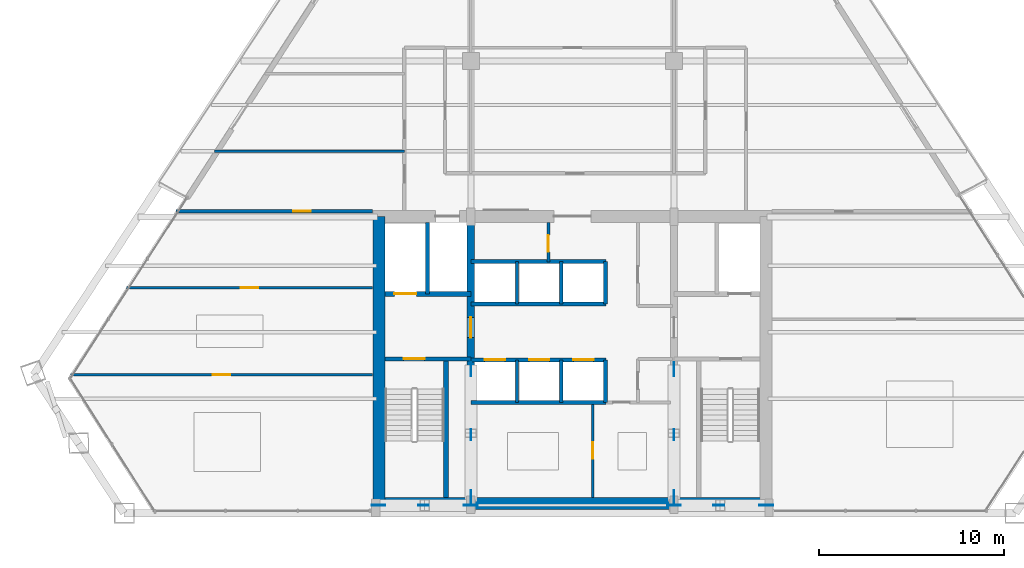
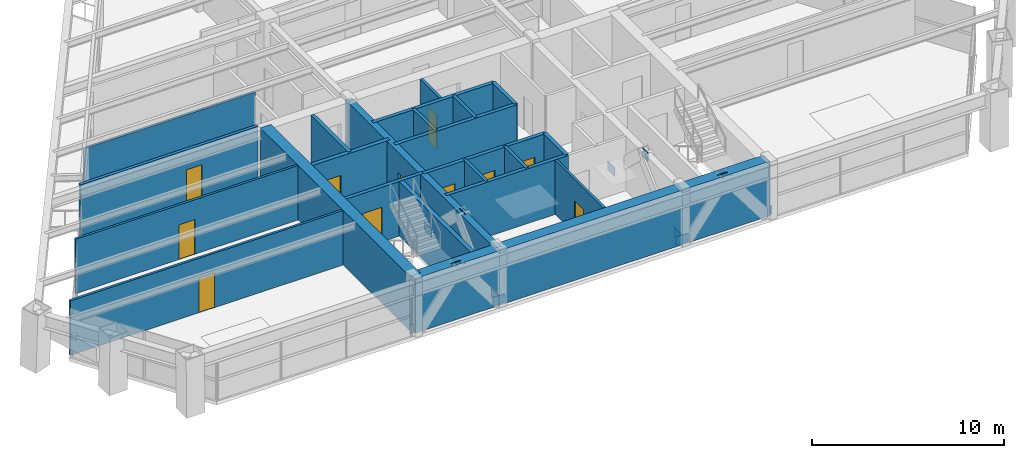
# One storey, part 11 of 15: 23 walls, 12 plates, 11 doors, 11 openings.
"""IFC4 building model written with IfcOpenShell, lengths in metres."""

from ifc_helpers import new_model, si_unit, direction, frame, frame_2d, origin, origin_2d, place, context, subcontext, project, spatial, rectangle, extrude, source, transform, mapped, material, layer, layer_set, type_object, type_shapes, element, fill, save


model = new_model("IFC4")

# Units and contexts
model_context = context("Model", 3, precision=1e-05, world=origin(), true_north=direction((0.0, 1.0)))
body_context = subcontext(model_context, "Body", "Model", "MODEL_VIEW")
ifc_project = project(units=[si_unit("LENGTHUNIT", "METRE"), si_unit("AREAUNIT", "SQUARE_METRE"), si_unit("VOLUMEUNIT", "CUBIC_METRE"), si_unit("PLANEANGLEUNIT", "RADIAN"), si_unit("MASSUNIT", "GRAM", prefix="KILO")], contexts=[model_context])

# Site, building, storey
site_placement = place(None, origin())
site = spatial("IfcSite", under=ifc_project, at=site_placement, CompositionType="ELEMENT")
building_placement = place(site_placement, origin())
building = spatial("IfcBuilding", under=site, at=building_placement, Name="Varnakhor Terracotta Tower", CompositionType="ELEMENT")
storey_placement = place(building_placement, frame((0.0, 0.0, 147.800048828125)))
storey = spatial("IfcBuildingStorey", under=building, at=storey_placement, Name="L37", CompositionType="ELEMENT", Elevation=147.800048828125)

# Plates
ifc_material_1 = material(Name="Steel S460", Category="steel")
ifc_layer_1 = layer(ifc_material_1, 0.050048828125, Name="Steel S460")
ifc_layer_set_1 = layer_set([ifc_layer_1], Name="Steel S460")
plate_type = type_object("IfcPlateType", Name="PLT-GUSSET-50", PredefinedType="USERDEFINED", material=ifc_layer_set_1)
shared_shape_1 = source(origin(), body_context, "Body", "SweptSolid", [
    extrude(rectangle(XDim=0.75, YDim=0.0400390625, at=origin_2d()), origin(), (0.0, 0.0, 1.0), 0.550048828125),
])
type_shapes(plate_type, [shared_shape_1])
for number, where, z_axis, x_axis, name in (
    (1, (-10.5, 0.419921875, -0.09521484375), (0.0, 0.0, 1.0), (1.0, 0.0, 0.0), "L37 Core Brace Embed Plate CSWA"),
    (2, (-5.5, 0.419921875, -0.09521484375), (0.0, 0.0, 1.0), (1.0, 0.0, 0.0), "L37 Core Brace Embed Plate CSWB"),
    (3, (5.5, 0.419921875, -0.09521484375), (0.0, 0.0, 1.0), (1.0, 0.0, 0.0), "L37 Core Brace Embed Plate CSEA"),
    (4, (10.5, 0.419921875, -0.09521484375), (0.0, 0.0, 1.0), (1.0, 0.0, 0.0), "L37 Core Brace Embed Plate CSEB"),
    (5, (-5.5, 0.85009765625, -0.09521484375), (0.0, 0.0, 1.0), (0.0, 1.0, 0.0), "L37 Core Brace Embed Plate CWWA"),
    (6, (-5.5, 7.800048828125, -0.09521484375), (0.0, 0.0, 1.0), (0.0, 1.0, 0.0), "L37 Core Brace Embed Plate CWWB"),
    (7, (5.5, 0.85009765625, -0.09521484375), (0.0, 0.0, 1.0), (0.0, 1.0, 0.0), "L37 Core Brace Embed Plate CWEA"),
    (8, (5.5, 7.800048828125, -0.09521484375), (0.0, 0.0, 1.0), (0.0, 1.0, 0.0), "L37 Core Brace Embed Plate CWEB"),
):
    element("IfcPlate", number, at=place(storey_placement, frame(where, z_axis=z_axis, x_axis=x_axis)), inside=storey, type_object=plate_type, Name=name, ObjectType="GUSSET PLATE", PredefinedType="USERDEFINED", context=body_context, shape_type="MappedRepresentation", body=[
        mapped(shared_shape_1, transform((0.0, 0.0, 0.0), scale=1.0)),
    ])
shared_shape_2 = source(origin(), body_context, "Body", "SweptSolid", [
    extrude(rectangle(XDim=0.580078125, YDim=0.0400390625, at=origin_2d()), origin(), (0.0, 0.0, 1.0), 0.580078125),
])
for number, where, z_axis, x_axis, name in (
    (9, (-8.072265625, 0.419921875, 2.93408203125), (0.0, 0.0, 1.0), (1.0, 0.0, 0.0), "L37 Brace End Connection Plate 124"),
    (10, (7.927734375, 0.419921875, 2.93408203125), (0.0, 0.0, 1.0), (1.0, 0.0, 0.0), "L37 Brace End Connection Plate 125"),
    (11, (-5.5, 4.23828125, 2.947021484375), (0.0, 0.0, 1.0), (0.0, 1.0, 0.0), "L37 Brace End Connection Plate 126"),
    (12, (5.5, 4.23828125, 2.947021484375), (0.0, 0.0, 1.0), (0.0, 1.0, 0.0), "L37 Brace End Connection Plate 127"),
):
    element("IfcPlate", number, at=place(storey_placement, frame(where, z_axis=z_axis, x_axis=x_axis)), inside=storey, type_object=plate_type, Name=name, ObjectType="GUSSET PLATE", PredefinedType="USERDEFINED", context=body_context, shape_type="MappedRepresentation", body=[
        mapped(shared_shape_2, transform((0.0, 0.0, 0.0), scale=1.0)),
    ])

# Walls
ifc_material_2 = material(Name="Concrete C50/60", Category="concrete")
ifc_layer_2 = layer(ifc_material_2, 0.64990234375, Name="Concrete C50/60")
ifc_layer_set_2 = layer_set([ifc_layer_2], Name="Concrete C50/60")
wall_type_1 = type_object("IfcWallType", Name="WAL-CORE-650", PredefinedType="SHEAR", material=ifc_layer_set_2)
wall_1_placement = place(storey_placement, frame((-10.64990234375, 0.52490234375, 0.0), z_axis=(0.0, 0.0, 1.0), x_axis=(1.0, 0.0, 0.0)))
element("IfcWall", 13, at=wall_1_placement, inside=storey, type_object=wall_type_1, Name="L37 South Core Shear Wall", PredefinedType="SHEAR", context=body_context, shape_type="SweptSolid", body=[
    extrude(rectangle(XDim=21.2998046875, YDim=0.64990234375, at=frame_2d((10.64990234375, 0.0))), origin(), (0.0, 0.0, 1.0), 3.469970703125),
])
wall_2_placement = place(storey_placement, frame((-10.47509765625, 0.52490234375, 0.0), z_axis=(0.0, 0.0, 1.0), x_axis=(0.0, 1.0, 0.0)))
element("IfcWall", 14, at=wall_2_placement, inside=storey, type_object=wall_type_1, Name="L37 West Core Shear Wall", PredefinedType="SHEAR", context=body_context, shape_type="SweptSolid", body=[
    extrude(rectangle(XDim=15.550048828125, YDim=0.64990234375, at=frame_2d((7.77490234375, 0.0))), origin(), (0.0, 0.0, 1.0), 3.469970703125),
])

# Wall, opening, door
ifc_layer_3 = layer(ifc_material_2, 0.39990234375, Name="Concrete C50/60")
ifc_layer_set_3 = layer_set([ifc_layer_3], Name="Concrete C50/60")
wall_type_2 = type_object("IfcWallType", Name="WAL-CORE-WEB-400", PredefinedType="SHEAR", material=ifc_layer_set_3)
wall_3_placement = place(storey_placement, frame((-5.5, 0.52490234375, 0.0), z_axis=(0.0, 0.0, 1.0), x_axis=(0.0, 1.0, 0.0)))
wall_3 = element("IfcWall", 15, at=wall_3_placement, inside=storey, type_object=wall_type_2, Name="L37 West Core Web Shear Wall", PredefinedType="SHEAR", context=body_context, shape_type="SweptSolid", body=[
    extrude(rectangle(XDim=15.550048828125, YDim=0.39990234375, at=frame_2d((7.77490234375, 0.0))), origin(), (0.0, 0.0, 1.0), 3.469970703125),
])
opening_1_placement = place(wall_3_placement, frame((8.97509765625, 0.0, 0.0)))
opening_1 = element("IfcOpeningElement", 16, at=opening_1_placement, cuts=wall_3, Name="Opening DR-25", PredefinedType="OPENING", context=body_context, shape_type="SweptSolid", body=[
    extrude(rectangle(XDim=1.10009765625, YDim=2.199951171875, at=frame_2d((0.550048828125, 1.10009765625))), frame((0.0, 0.2099609375, 0.0), z_axis=(0.0, -1.0, 0.0), x_axis=(1.0, 0.0, 0.0)), (0.0, 0.0, 1.0), 0.419921875),
])
ifc_material_3 = material(Name="Firefighting Lobby Self-Closing Fire Door", Category="steel")
door_type_1 = type_object("IfcDoorType", Name="DR-FFL-1100X2200", OperationType="NOTDEFINED", PredefinedType="DOOR", material=ifc_material_3)
shared_shape_3 = source(origin(), body_context, "Body", "SweptSolid", [
    extrude(rectangle(XDim=1.10009765625, YDim=2.199951171875, at=frame_2d((0.550048828125, 1.10009765625))), frame((0.0, 0.02490234375, 0.0), z_axis=(0.0, -1.0, 0.0), x_axis=(1.0, 0.0, 0.0)), (0.0, 0.0, 1.0), 0.050048828125),
])
type_shapes(door_type_1, [shared_shape_3])
door_1_placement = place(opening_1_placement, origin())
door_1 = element("IfcDoor", 17, at=door_1_placement, inside=storey, type_object=door_type_1, Name="L37 West Firefighting Lobby Door", OperationType="SINGLE_SWING_LEFT", OverallHeight=2.199951171875, OverallWidth=1.10009765625, PredefinedType="DOOR", context=body_context, shape_type="MappedRepresentation", body=[
    mapped(shared_shape_3, transform((0.0, 0.0, 0.0), scale=1.0)),
])
fill(opening_1, door_1)

ifc_material_4 = material(Name="Fire-Rated Gypsum Stud Partition", Category="gypsum")
ifc_layer_4 = layer(ifc_material_4, 0.18505859375, Name="Fire-Rated Gypsum Stud Partition")
ifc_layer_set_4 = layer_set([ifc_layer_4], Name="Fire-Rated Gypsum Stud Partition")
wall_type_3 = type_object("IfcWallType", Name="WAL-CORR-185", PredefinedType="PARTITIONING", material=ifc_layer_set_4)
wall_4_placement = place(storey_placement, frame((-21.4775390625, 16.35009765625, 0.0), z_axis=(0.0, 0.0, 1.0), x_axis=(1.0, 0.0, 0.0)))
wall_4 = element("IfcWall", 18, at=wall_4_placement, inside=storey, type_object=wall_type_3, Name="L37 South West Entry Wall", PredefinedType="PARTITIONING", context=body_context, shape_type="SweptSolid", body=[
    extrude(rectangle(XDim=10.657470703125, YDim=0.18505859375, at=frame_2d((5.32861328125, 0.0))), origin(), (0.0, 0.0, 1.0), 3.4619140625),
])
opening_2_placement = place(wall_4_placement, frame((6.350341796875, 0.0, 0.0)))
opening_2 = element("IfcOpeningElement", 19, at=opening_2_placement, cuts=wall_4, Name="Opening DR-94", PredefinedType="OPENING", context=body_context, shape_type="SweptSolid", body=[
    extrude(rectangle(XDim=0.949951171875, YDim=2.199951171875, at=frame_2d((0.47509765625, 1.10009765625))), frame((0.0, 0.1025390625, 0.0), z_axis=(0.0, -1.0, 0.0), x_axis=(1.0, 0.0, 0.0)), (0.0, 0.0, 1.0), 0.205078125),
])
ifc_material_5 = material(Name="Acoustic Glazed-Vision Timber Office Door", Category="wood")
door_type_2 = type_object("IfcDoorType", Name="DR-OFF-950X2200", OperationType="NOTDEFINED", PredefinedType="DOOR", material=ifc_material_5)
shared_shape_4 = source(origin(), body_context, "Body", "SweptSolid", [
    extrude(rectangle(XDim=0.949951171875, YDim=2.199951171875, at=frame_2d((0.47509765625, 1.10009765625))), frame((0.0, 0.02490234375, 0.0), z_axis=(0.0, -1.0, 0.0), x_axis=(1.0, 0.0, 0.0)), (0.0, 0.0, 1.0), 0.050048828125),
])
type_shapes(door_type_2, [shared_shape_4])
door_2_placement = place(opening_2_placement, origin())
door_2 = element("IfcDoor", 20, at=door_2_placement, inside=storey, type_object=door_type_2, Name="L37 SW Suite Door", OperationType="SINGLE_SWING_RIGHT", OverallHeight=2.199951171875, OverallWidth=0.949951171875, PredefinedType="DOOR", context=body_context, shape_type="MappedRepresentation", body=[
    mapped(shared_shape_4, transform((0.0, 0.0, 0.0), scale=1.0)),
])
fill(opening_2, door_2)

ifc_material_6 = material(Name="Concrete C40/50", Category="concrete")
ifc_layer_5 = layer(ifc_material_6, 0.219970703125, Name="Concrete C40/50")
ifc_layer_set_5 = layer_set([ifc_layer_5], Name="Concrete C40/50")
wall_type_4 = type_object("IfcWallType", Name="WAL-FFLOBBY-220", PredefinedType="SOLIDWALL", material=ifc_layer_set_5)
wall_5_placement = place(storey_placement, frame((-5.5, 8.35009765625, 0.0), z_axis=(0.0, 0.0, 1.0), x_axis=(-1.0, 0.0, 0.0)))
wall_5 = element("IfcWall", 21, at=wall_5_placement, inside=storey, type_object=wall_type_4, Name="L37 West Firefighting Lobby Stair Wall", PredefinedType="SOLIDWALL", context=body_context, shape_type="SweptSolid", body=[
    extrude(rectangle(XDim=4.64990234375, YDim=0.219970703125, at=frame_2d((2.324951171875, 0.0))), origin(), (0.0, 0.0, 1.0), 3.469970703125),
])
opening_3_placement = place(wall_5_placement, frame((2.5, 0.0, 0.0)))
opening_3 = element("IfcOpeningElement", 22, at=opening_3_placement, cuts=wall_5, Name="Opening DR-34", PredefinedType="OPENING", context=body_context, shape_type="SweptSolid", body=[
    extrude(rectangle(XDim=1.14990234375, YDim=2.199951171875, at=frame_2d((0.574951171875, 1.10009765625))), frame((0.0, 0.1201171875, 0.0), z_axis=(0.0, -1.0, 0.0), x_axis=(1.0, 0.0, 0.0)), (0.0, 0.0, 1.0), 0.239990234375),
])
ifc_material_7 = material(Name="Self-Closing Smoke-Sealed Steel Fire Door", Category="steel")
door_type_3 = type_object("IfcDoorType", Name="DR-STAIR-1150X2200", OperationType="NOTDEFINED", PredefinedType="DOOR", material=ifc_material_7)
shared_shape_5 = source(origin(), body_context, "Body", "SweptSolid", [
    extrude(rectangle(XDim=1.14990234375, YDim=2.199951171875, at=frame_2d((0.574951171875, 1.10009765625))), frame((0.0, 0.02490234375, 0.0), z_axis=(0.0, -1.0, 0.0), x_axis=(1.0, 0.0, 0.0)), (0.0, 0.0, 1.0), 0.050048828125),
])
type_shapes(door_type_3, [shared_shape_5])
door_3_placement = place(opening_3_placement, origin())
door_3 = element("IfcDoor", 23, at=door_3_placement, inside=storey, type_object=door_type_3, Name="L37 Exit Stair ST-1 Fire Door", OperationType="SINGLE_SWING_RIGHT", OverallHeight=2.199951171875, OverallWidth=1.14990234375, PredefinedType="DOOR", context=body_context, shape_type="MappedRepresentation", body=[
    mapped(shared_shape_5, transform((0.0, 0.0, 0.0), scale=1.0)),
])
fill(opening_3, door_3)

ifc_material_8 = material(Name="Acoustic Metal-Stud Partition", Category="gypsum")
ifc_layer_6 = layer(ifc_material_8, 0.139892578125, Name="Acoustic Metal-Stud Partition")
ifc_layer_set_6 = layer_set([ifc_layer_6], Name="Acoustic Metal-Stud Partition")
wall_type_5 = type_object("IfcWallType", Name="WAL-PART-140", PredefinedType="PARTITIONING", material=ifc_layer_set_6)
wall_6_placement = place(storey_placement, frame((-27.194580078125, 7.5, 0.0), z_axis=(0.0, 0.0, 1.0), x_axis=(1.0, 0.0, 0.0)))
wall_6 = element("IfcWall", 24, at=wall_6_placement, inside=storey, type_object=wall_type_5, Name="L37 West Wing Cut 1", PredefinedType="PARTITIONING", context=body_context, shape_type="SweptSolid", body=[
    extrude(rectangle(XDim=16.37451171875, YDim=0.139892578125, at=frame_2d((8.187255859375, 0.0))), origin(), (0.0, 0.0, 1.0), 3.4619140625),
])
opening_4_placement = place(wall_6_placement, frame((7.721435546875, 0.0, 0.0)))
opening_4 = element("IfcOpeningElement", 25, at=opening_4_placement, cuts=wall_6, Name="Opening DR-94", PredefinedType="OPENING", context=body_context, shape_type="SweptSolid", body=[
    extrude(rectangle(XDim=0.949951171875, YDim=2.199951171875, at=frame_2d((0.47509765625, 1.10009765625))), frame((0.0, 0.080078125, 0.0), z_axis=(0.0, -1.0, 0.0), x_axis=(1.0, 0.0, 0.0)), (0.0, 0.0, 1.0), 0.159912109375),
])
door_4_placement = place(opening_4_placement, origin())
door_4 = element("IfcDoor", 26, at=door_4_placement, inside=storey, type_object=door_type_2, Name="L37 Wellness Lounge 4 Door", OperationType="SINGLE_SWING_RIGHT", OverallHeight=2.199951171875, OverallWidth=0.949951171875, PredefinedType="DOOR", context=body_context, shape_type="MappedRepresentation", body=[
    mapped(shared_shape_4, transform((0.0, 0.0, 0.0), scale=1.0)),
])
fill(opening_4, door_4)

wall_7_placement = place(storey_placement, frame((-24.158447265625, 12.199951171875, 0.0), z_axis=(0.0, 0.0, 1.0), x_axis=(1.0, 0.0, 0.0)))
wall_7 = element("IfcWall", 27, at=wall_7_placement, inside=storey, type_object=wall_type_5, Name="L37 West Wing Cut 2", PredefinedType="PARTITIONING", context=body_context, shape_type="SweptSolid", body=[
    extrude(rectangle(XDim=13.33837890625, YDim=0.139892578125, at=frame_2d((6.669189453125, 0.0))), origin(), (0.0, 0.0, 1.0), 3.4619140625),
])
opening_5_placement = place(wall_7_placement, frame((6.203125, 0.0, 0.0)))
opening_5 = element("IfcOpeningElement", 28, at=opening_5_placement, cuts=wall_7, Name="Opening DR-94", PredefinedType="OPENING", context=body_context, shape_type="SweptSolid", body=[
    extrude(rectangle(XDim=0.949951171875, YDim=2.199951171875, at=frame_2d((0.47509765625, 1.10009765625))), frame((0.0, 0.080078125, 0.0), z_axis=(0.0, -1.0, 0.0), x_axis=(1.0, 0.0, 0.0)), (0.0, 0.0, 1.0), 0.159912109375),
])
door_5_placement = place(opening_5_placement, origin())
door_5 = element("IfcDoor", 29, at=door_5_placement, inside=storey, type_object=door_type_2, Name="L37 Executive Lounge 1 B3 Door", OperationType="SINGLE_SWING_LEFT", OverallHeight=2.199951171875, OverallWidth=0.949951171875, PredefinedType="DOOR", context=body_context, shape_type="MappedRepresentation", body=[
    mapped(shared_shape_4, transform((0.0, 0.0, 0.0), scale=1.0)),
])
fill(opening_5, door_5)

# Walls
wall_8_placement = place(storey_placement, frame((-19.3779296875, 19.60009765625, 0.0), z_axis=(0.0, 0.0, 1.0), x_axis=(1.0, 0.0, 0.0)))
element("IfcWall", 30, at=wall_8_placement, inside=storey, type_object=wall_type_5, Name="L37 West Wing Cut 3", PredefinedType="PARTITIONING", context=body_context, shape_type="SweptSolid", body=[
    extrude(rectangle(XDim=10.27783203125, YDim=0.139892578125, at=frame_2d((5.138916015625, 0.0))), origin(), (0.0, 0.0, 1.0), 3.049072265625),
])
ifc_layer_7 = layer(ifc_material_6, 0.179931640625, Name="Concrete C40/50")
ifc_layer_set_7 = layer_set([ifc_layer_7], Name="Concrete C40/50")
wall_type_6 = type_object("IfcWallType", Name="WAL-SHAFT-180", PredefinedType="SOLIDWALL", material=ifc_layer_set_7)
for number, where, z_axis, x_axis, name in (
    (31, (-3.0, 6.0, 0.0), (0.0, 0.0, 1.0), (0.0, 1.0, 0.0), "L37 PL-2A Divider"),
    (32, (-0.60009765625, 6.0, 0.0), (0.0, 0.0, 1.0), (0.0, 1.0, 0.0), "L37 PL-2B Divider"),
    (33, (-3.0, 11.320068359375, 0.0), (0.0, 0.0, 1.0), (0.0, 1.0, 0.0), "L37 PL-3A Divider"),
    (34, (-0.60009765625, 11.320068359375, 0.0), (0.0, 0.0, 1.0), (0.0, 1.0, 0.0), "L37 PL-3B Divider"),
):
    element("IfcWall", number, at=place(storey_placement, frame(where, z_axis=z_axis, x_axis=x_axis)), inside=storey, type_object=wall_type_6, Name=name, PredefinedType="SOLIDWALL", context=body_context, shape_type="SweptSolid", body=[
        extrude(rectangle(XDim=2.300048828125, YDim=0.179931640625, at=frame_2d((1.14990234375, 0.0))), origin(), (0.0, 0.0, 1.0), 3.469970703125),
    ])
ifc_layer_8 = layer(ifc_material_6, 0.219970703125, Name="Concrete C40/50")
ifc_layer_set_8 = layer_set([ifc_layer_8], Name="Concrete C40/50")
wall_type_7 = type_object("IfcWallType", Name="WAL-SHAFT-220", PredefinedType="SOLIDWALL", material=ifc_layer_set_8)
wall_9_placement = place(storey_placement, frame((-7.840087890625, 11.8701171875, 0.0), z_axis=(0.0, 0.0, 1.0), x_axis=(0.0, 1.0, 0.0)))
element("IfcWall", 35, at=wall_9_placement, inside=storey, type_object=wall_type_7, Name="L37 Lift FFL-1 and SVL-1 Divider Wall", PredefinedType="SOLIDWALL", context=body_context, shape_type="SweptSolid", body=[
    extrude(rectangle(XDim=3.8798828125, YDim=0.219970703125, at=frame_2d((1.93994140625, 0.0))), origin(), (0.0, 0.0, 1.0), 3.469970703125),
])
wall_10_placement = place(storey_placement, frame((-5.5, 6.0, 0.0), z_axis=(0.0, 0.0, 1.0), x_axis=(1.0, 0.0, 0.0)))
element("IfcWall", 36, at=wall_10_placement, inside=storey, type_object=wall_type_7, Name="L37 Bank 2 South Shaft Wall", PredefinedType="SOLIDWALL", context=body_context, shape_type="SweptSolid", body=[
    extrude(rectangle(XDim=7.320068359375, YDim=0.219970703125, at=frame_2d((3.66015625, 0.0))), origin(), (0.0, 0.0, 1.0), 3.469970703125),
])

# Wall, openings, doors
wall_11_placement = place(storey_placement, frame((-5.5, 8.300048828125, 0.0), z_axis=(0.0, 0.0, 1.0), x_axis=(1.0, 0.0, 0.0)))
wall_11 = element("IfcWall", 37, at=wall_11_placement, inside=storey, type_object=wall_type_7, Name="L37 Bank 2 North Shaft Wall", PredefinedType="SOLIDWALL", context=body_context, shape_type="SweptSolid", body=[
    extrude(rectangle(XDim=7.320068359375, YDim=0.219970703125, at=frame_2d((3.66015625, 0.0))), origin(), (0.0, 0.0, 1.0), 3.469970703125),
])
opening_6_placement = place(wall_11_placement, frame((0.75, 0.0, 0.0)))
opening_6 = element("IfcOpeningElement", 38, at=opening_6_placement, cuts=wall_11, Name="Opening LD-01", PredefinedType="OPENING", context=body_context, shape_type="SweptSolid", body=[
    extrude(rectangle(XDim=1.10009765625, YDim=2.199951171875, at=frame_2d((0.550048828125, 1.10009765625))), frame((0.0, 0.1201171875, 0.0), z_axis=(0.0, -1.0, 0.0), x_axis=(1.0, 0.0, 0.0)), (0.0, 0.0, 1.0), 0.239990234375),
])
opening_7_placement = place(wall_11_placement, frame((3.14990234375, 0.0, 0.0)))
opening_7 = element("IfcOpeningElement", 39, at=opening_7_placement, cuts=wall_11, Name="Opening LD-01", PredefinedType="OPENING", context=body_context, shape_type="SweptSolid", body=[
    extrude(rectangle(XDim=1.10009765625, YDim=2.199951171875, at=frame_2d((0.550048828125, 1.10009765625))), frame((0.0, 0.1201171875, 0.0), z_axis=(0.0, -1.0, 0.0), x_axis=(1.0, 0.0, 0.0)), (0.0, 0.0, 1.0), 0.239990234375),
])
opening_8_placement = place(wall_11_placement, frame((5.550048828125, 0.0, 0.0)))
opening_8 = element("IfcOpeningElement", 40, at=opening_8_placement, cuts=wall_11, Name="Opening LD-01", PredefinedType="OPENING", context=body_context, shape_type="SweptSolid", body=[
    extrude(rectangle(XDim=1.10009765625, YDim=2.199951171875, at=frame_2d((0.550048828125, 1.10009765625))), frame((0.0, 0.1201171875, 0.0), z_axis=(0.0, -1.0, 0.0), x_axis=(1.0, 0.0, 0.0)), (0.0, 0.0, 1.0), 0.239990234375),
])
ifc_material_9 = material(Name="Brushed Stainless Steel Sliding Lift Landing Door", Category="steel")
door_type_4 = type_object("IfcDoorType", Name="LD-PASS-1100X2200", OperationType="NOTDEFINED", PredefinedType="DOOR", material=ifc_material_9)
shared_shape_6 = source(origin(), body_context, "Body", "SweptSolid", [
    extrude(rectangle(XDim=1.10009765625, YDim=2.199951171875, at=frame_2d((0.550048828125, 1.10009765625))), frame((0.0, 0.02490234375, 0.0), z_axis=(0.0, -1.0, 0.0), x_axis=(1.0, 0.0, 0.0)), (0.0, 0.0, 1.0), 0.050048828125),
])
type_shapes(door_type_4, [shared_shape_6])
door_6_placement = place(opening_6_placement, origin())
door_6 = element("IfcDoor", 41, at=door_6_placement, inside=storey, type_object=door_type_4, Name="L37 Passenger Lift PL-2A Landing Door", OperationType="SLIDING_TO_LEFT", OverallHeight=2.199951171875, OverallWidth=1.10009765625, PredefinedType="DOOR", context=body_context, shape_type="MappedRepresentation", body=[
    mapped(shared_shape_6, transform((0.0, 0.0, 0.0), scale=1.0)),
])
fill(opening_6, door_6)
door_7_placement = place(opening_7_placement, origin())
door_7 = element("IfcDoor", 42, at=door_7_placement, inside=storey, type_object=door_type_4, Name="L37 Passenger Lift PL-2B Landing Door", OperationType="SLIDING_TO_LEFT", OverallHeight=2.199951171875, OverallWidth=1.10009765625, PredefinedType="DOOR", context=body_context, shape_type="MappedRepresentation", body=[
    mapped(shared_shape_6, transform((0.0, 0.0, 0.0), scale=1.0)),
])
fill(opening_7, door_7)
door_8_placement = place(opening_8_placement, origin())
door_8 = element("IfcDoor", 43, at=door_8_placement, inside=storey, type_object=door_type_4, Name="L37 Passenger Lift PL-2C Landing Door", OperationType="SLIDING_TO_LEFT", OverallHeight=2.199951171875, OverallWidth=1.10009765625, PredefinedType="DOOR", context=body_context, shape_type="MappedRepresentation", body=[
    mapped(shared_shape_6, transform((0.0, 0.0, 0.0), scale=1.0)),
])
fill(opening_8, door_8)

# Walls
wall_12_placement = place(storey_placement, frame((1.800048828125, 6.0, 0.0), z_axis=(0.0, 0.0, 1.0), x_axis=(0.0, 1.0, 0.0)))
element("IfcWall", 44, at=wall_12_placement, inside=storey, type_object=wall_type_7, Name="L37 Bank 2 East Shaft Wall", PredefinedType="SOLIDWALL", context=body_context, shape_type="SweptSolid", body=[
    extrude(rectangle(XDim=2.300048828125, YDim=0.219970703125, at=frame_2d((1.14990234375, 0.0))), origin(), (0.0, 0.0, 1.0), 3.469970703125),
])
for number, where, z_axis, x_axis, name in (
    (45, (-5.5, 11.320068359375, 0.0), (0.0, 0.0, 1.0), (1.0, 0.0, 0.0), "L37 Bank 3 South Shaft Wall"),
    (46, (-5.5, 13.6201171875, 0.0), (0.0, 0.0, 1.0), (1.0, 0.0, 0.0), "L37 Bank 3 North Shaft Wall"),
):
    element("IfcWall", number, at=place(storey_placement, frame(where, z_axis=z_axis, x_axis=x_axis)), inside=storey, type_object=wall_type_7, Name=name, PredefinedType="SOLIDWALL", context=body_context, shape_type="SweptSolid", body=[
        extrude(rectangle(XDim=7.320068359375, YDim=0.219970703125, at=frame_2d((3.66015625, 0.0))), origin(), (0.0, 0.0, 1.0), 3.469970703125),
    ])
wall_13_placement = place(storey_placement, frame((1.800048828125, 11.320068359375, 0.0), z_axis=(0.0, 0.0, 1.0), x_axis=(0.0, 1.0, 0.0)))
element("IfcWall", 47, at=wall_13_placement, inside=storey, type_object=wall_type_7, Name="L37 Bank 3 East Shaft Wall", PredefinedType="SOLIDWALL", context=body_context, shape_type="SweptSolid", body=[
    extrude(rectangle(XDim=2.300048828125, YDim=0.219970703125, at=frame_2d((1.14990234375, 0.0))), origin(), (0.0, 0.0, 1.0), 3.469970703125),
])
ifc_layer_9 = layer(ifc_material_6, 0.25, Name="Concrete C40/50")
ifc_layer_set_9 = layer_set([ifc_layer_9], Name="Concrete C40/50")
wall_type_8 = type_object("IfcWallType", Name="WAL-SHAFT-250", PredefinedType="SOLIDWALL", material=ifc_layer_set_9)
wall_14_placement = place(storey_placement, frame((-6.85009765625, 0.85009765625, 0.0), z_axis=(0.0, 0.0, 1.0), x_axis=(0.0, 1.0, 0.0)))
element("IfcWall", 48, at=wall_14_placement, inside=storey, type_object=wall_type_8, Name="L37 Stair ST-1 Bearing Shaft Wall", PredefinedType="SOLIDWALL", context=body_context, shape_type="SweptSolid", body=[
    extrude(rectangle(XDim=7.5, YDim=0.25, at=frame_2d((3.75, 0.0))), origin(), (0.0, 0.0, 1.0), 3.469970703125),
])

# Wall, opening, door
wall_15_placement = place(storey_placement, frame((-5.5, 11.8701171875, 0.0), z_axis=(0.0, 0.0, 1.0), x_axis=(-1.0, 0.0, 0.0)))
wall_15 = element("IfcWall", 49, at=wall_15_placement, inside=storey, type_object=wall_type_8, Name="L37 Lift FFL-1 Shaft Front Wall", PredefinedType="SOLIDWALL", context=body_context, shape_type="SweptSolid", body=[
    extrude(rectangle(XDim=4.64990234375, YDim=0.25, at=frame_2d((2.324951171875, 0.0))), origin(), (0.0, 0.0, 1.0), 3.469970703125),
])
opening_9_placement = place(wall_15_placement, frame((2.949951171875, 0.0, 0.0)))
opening_9 = element("IfcOpeningElement", 50, at=opening_9_placement, cuts=wall_15, Name="Opening LD-02", PredefinedType="OPENING", context=body_context, shape_type="SweptSolid", body=[
    extrude(rectangle(XDim=1.199951171875, YDim=2.25, at=frame_2d((0.60009765625, 1.125))), frame((0.0, 0.135009765625, 0.0), z_axis=(0.0, -1.0, 0.0), x_axis=(1.0, 0.0, 0.0)), (0.0, 0.0, 1.0), 0.27001953125),
])
ifc_material_10 = material(Name="Firefighting Stretcher Sliding Lift Landing Door", Category="steel")
door_type_5 = type_object("IfcDoorType", Name="LD-FFL-1200X2250", OperationType="NOTDEFINED", PredefinedType="DOOR", material=ifc_material_10)
shared_shape_7 = source(origin(), body_context, "Body", "SweptSolid", [
    extrude(rectangle(XDim=1.199951171875, YDim=2.25, at=frame_2d((0.60009765625, 1.125))), frame((0.0, 0.02490234375, 0.0), z_axis=(0.0, -1.0, 0.0), x_axis=(1.0, 0.0, 0.0)), (0.0, 0.0, 1.0), 0.050048828125),
])
type_shapes(door_type_5, [shared_shape_7])
door_9_placement = place(opening_9_placement, origin())
door_9 = element("IfcDoor", 51, at=door_9_placement, inside=storey, type_object=door_type_5, Name="L37 Firefighting Lift FFL-1 Landing Door", OperationType="SLIDING_TO_LEFT", OverallHeight=2.25, OverallWidth=1.199951171875, PredefinedType="DOOR", context=body_context, shape_type="MappedRepresentation", body=[
    mapped(shared_shape_7, transform((0.0, 0.0, 0.0), scale=1.0)),
])
fill(opening_9, door_9)

ifc_material_11 = material(Name="Acoustic Fire-Rated Partition", Category="gypsum")
ifc_layer_10 = layer(ifc_material_11, 0.139892578125, Name="Acoustic Fire-Rated Partition")
ifc_layer_set_10 = layer_set([ifc_layer_10], Name="Acoustic Fire-Rated Partition")
wall_type_9 = type_object("IfcWallType", Name="WAL-TENANCY-140", PredefinedType="PARTITIONING", material=ifc_layer_set_10)
wall_16_placement = place(storey_placement, frame((1.10009765625, 0.85009765625, 0.0), z_axis=(0.0, 0.0, 1.0), x_axis=(0.0, 1.0, 0.0)))
wall_16 = element("IfcWall", 52, at=wall_16_placement, inside=storey, type_object=wall_type_9, Name="L37 Reclaimed Core Bay Split Wall", PredefinedType="PARTITIONING", context=body_context, shape_type="SweptSolid", body=[
    extrude(rectangle(XDim=5.02978515625, YDim=0.139892578125, at=frame_2d((2.514892578125, 0.0))), origin(), (0.0, 0.0, 1.0), 3.4619140625),
])
opening_10_placement = place(wall_16_placement, frame((2.10009765625, 0.0, 0.0)))
opening_10 = element("IfcOpeningElement", 53, at=opening_10_placement, cuts=wall_16, Name="Opening DR-67", PredefinedType="OPENING", context=body_context, shape_type="SweptSolid", body=[
    extrude(rectangle(XDim=0.89990234375, YDim=2.10009765625, at=frame_2d((0.449951171875, 1.050048828125))), frame((0.0, 0.080078125, 0.0), z_axis=(0.0, -1.0, 0.0), x_axis=(1.0, 0.0, 0.0)), (0.0, 0.0, 1.0), 0.159912109375),
])
ifc_material_12 = material(Name="Steel Service Riser Fire Door", Category="steel")
door_type_6 = type_object("IfcDoorType", Name="DR-RISER-900X2100", OperationType="NOTDEFINED", PredefinedType="DOOR", material=ifc_material_12)
shared_shape_8 = source(origin(), body_context, "Body", "SweptSolid", [
    extrude(rectangle(XDim=0.89990234375, YDim=2.10009765625, at=frame_2d((0.449951171875, 1.050048828125))), frame((0.0, 0.02490234375, 0.0), z_axis=(0.0, -1.0, 0.0), x_axis=(1.0, 0.0, 0.0)), (0.0, 0.0, 1.0), 0.050048828125),
])
type_shapes(door_type_6, [shared_shape_8])
door_10_placement = place(opening_10_placement, origin())
door_10 = element("IfcDoor", 54, at=door_10_placement, inside=storey, type_object=door_type_6, Name="L37 Core Inner Service Door", OperationType="SINGLE_SWING_LEFT", OverallHeight=2.10009765625, OverallWidth=0.89990234375, PredefinedType="DOOR", context=body_context, shape_type="MappedRepresentation", body=[
    mapped(shared_shape_8, transform((0.0, 0.0, 0.0), scale=1.0)),
])
fill(opening_10, door_10)

ifc_layer_11 = layer(ifc_material_11, 0.1650390625, Name="Acoustic Fire-Rated Partition")
ifc_layer_set_11 = layer_set([ifc_layer_11], Name="Acoustic Fire-Rated Partition")
wall_type_10 = type_object("IfcWallType", Name="WAL-TENANCY-165", PredefinedType="PARTITIONING", material=ifc_layer_set_11)
wall_17_placement = place(storey_placement, frame((-1.300048828125, 13.60009765625, 0.0), z_axis=(0.0, 0.0, 1.0), x_axis=(0.0, 1.0, 0.0)))
wall_17 = element("IfcWall", 55, at=wall_17_placement, inside=storey, type_object=wall_type_10, Name="L37 Male Restroom Wall", PredefinedType="PARTITIONING", context=body_context, shape_type="SweptSolid", body=[
    extrude(rectangle(XDim=2.14990234375, YDim=0.1650390625, at=frame_2d((1.074951171875, 0.0))), origin(), (0.0, 0.0, 1.0), 3.4619140625),
])
opening_11_placement = place(wall_17_placement, frame((0.550048828125, 0.0, 0.0)))
opening_11 = element("IfcOpeningElement", 56, at=opening_11_placement, cuts=wall_17, Name="Opening DR-67", PredefinedType="OPENING", context=body_context, shape_type="SweptSolid", body=[
    extrude(rectangle(XDim=0.89990234375, YDim=2.10009765625, at=frame_2d((0.449951171875, 1.050048828125))), frame((0.0, 0.092529296875, 0.0), z_axis=(0.0, -1.0, 0.0), x_axis=(1.0, 0.0, 0.0)), (0.0, 0.0, 1.0), 0.18505859375),
])
door_11_placement = place(opening_11_placement, origin())
door_11 = element("IfcDoor", 57, at=door_11_placement, inside=storey, type_object=door_type_6, Name="L37 Male WC Door", OperationType="SINGLE_SWING_LEFT", OverallHeight=2.10009765625, OverallWidth=0.89990234375, PredefinedType="DOOR", context=body_context, shape_type="MappedRepresentation", body=[
    mapped(shared_shape_8, transform((0.0, 0.0, 0.0), scale=1.0)),
])
fill(opening_11, door_11)

save(model, "model.ifc")
